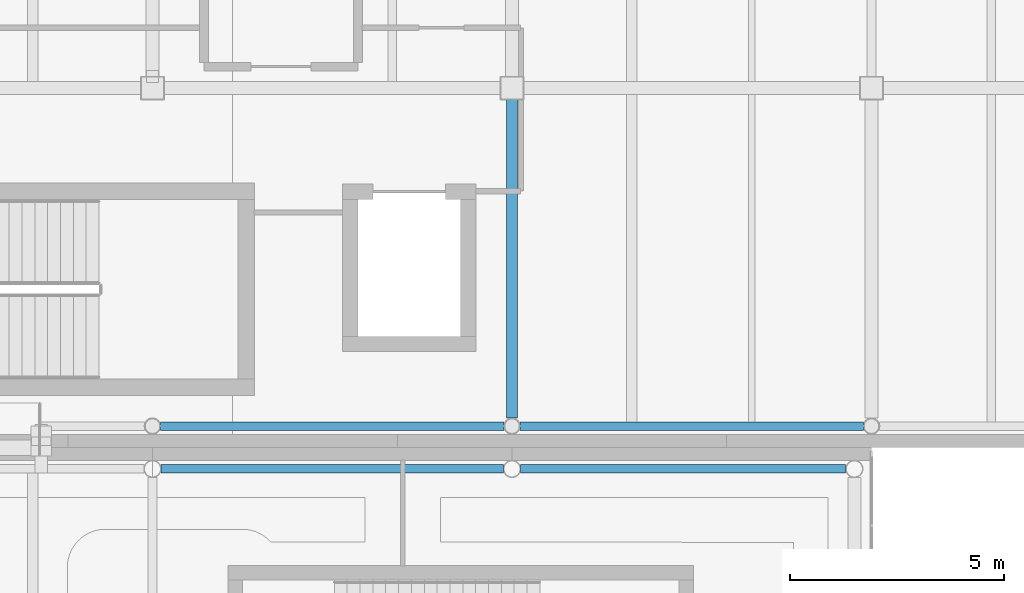
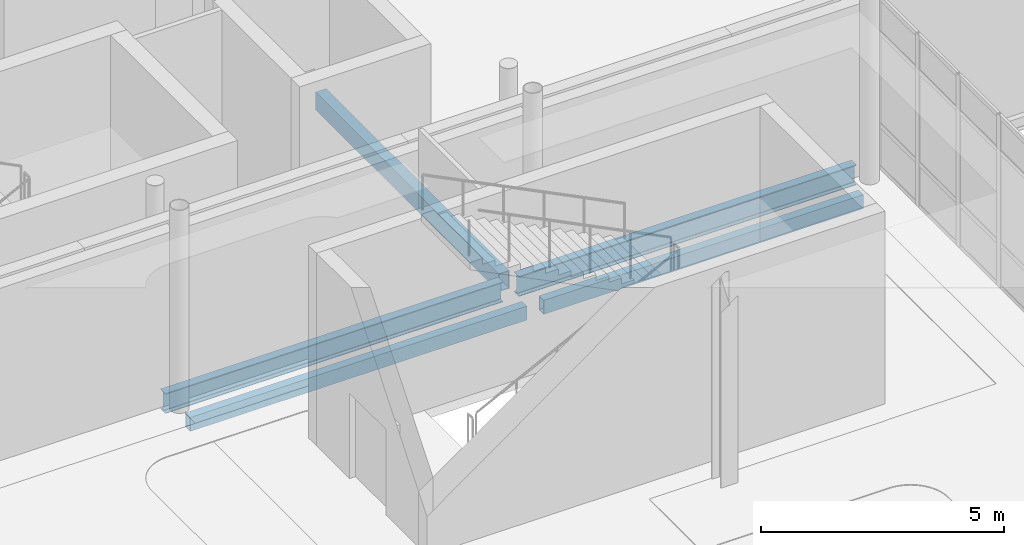
# One storey, part 43 of 103: 5 beams.
"""IFC4 building model written with IfcOpenShell, lengths in metres."""

from ifc_helpers import new_model, si_unit, direction, frame, origin, origin_2d, place, context, subcontext, project, spatial, hollow_rectangle, i_section, extrude, material, material_profile, profile_set, type_object, element, save


model = new_model("IFC4")

# Units and contexts
model_context = context("Model", 3, precision=1e-05, world=origin(), true_north=direction((0.0, 1.0)))
body_context = subcontext(model_context, "Body", "Model", "MODEL_VIEW")
ifc_project = project(units=[si_unit("LENGTHUNIT", "METRE"), si_unit("AREAUNIT", "SQUARE_METRE"), si_unit("VOLUMEUNIT", "CUBIC_METRE"), si_unit("PLANEANGLEUNIT", "RADIAN"), si_unit("MASSUNIT", "GRAM", prefix="KILO"), si_unit("THERMODYNAMICTEMPERATUREUNIT", "KELVIN")], contexts=[model_context])

# Site, building, storey
site_placement = place(None, origin())
site = spatial("IfcSite", under=ifc_project, at=site_placement, CompositionType="ELEMENT")
building_placement = place(site_placement, origin())
building = spatial("IfcBuilding", under=site, at=building_placement, Name="Lustrewick Department Store", CompositionType="ELEMENT")
storey_placement = place(building_placement, frame((0.0, 0.0, 16.5)))
storey = spatial("IfcBuildingStorey", under=building, at=storey_placement, Name="L04", CompositionType="ELEMENT", Elevation=16.5)

# Beams
ifc_material_1 = material(Name="Structural steel Q355C", Category="steel")
ifc_material_profile_1 = material_profile(ifc_material_1, hollow_rectangle(XDim=0.25, YDim=0.449951171875, WallThickness=0.013916015625, at=origin_2d()), Name="RHS 450x250x14")
ifc_profile_set_1 = profile_set([ifc_material_profile_1], Name="Structural steel Q355C")
beam_type_1 = type_object("IfcBeamType", Name="G18", PredefinedType="BEAM", material=ifc_profile_set_1)
beam_1_placement = place(storey_placement, frame((142.800048828125, 51.08837890625, -0.47998046875), z_axis=(0.0, 1.0, 0.0), x_axis=(-1.0, 0.0, 0.0)))
element("IfcBeam", 1, at=beam_1_placement, inside=storey, type_object=beam_type_1, Name="L04 V4 Girder G18", PredefinedType="BEAM", context=body_context, shape_type="SweptSolid", body=[
    extrude(hollow_rectangle(XDim=0.25, YDim=0.449951171875, WallThickness=0.013916015625, at=origin_2d()), origin(), (0.0, 0.0, 1.0), 7.53662109375),
])
ifc_material_2 = material(Name="Structural steel Q355B", Category="steel")
ifc_material_profile_2 = material_profile(ifc_material_2, i_section(OverallWidth=0.200927734375, OverallDepth=0.506103515625, WebThickness=0.010986328125, FlangeThickness=0.01904296875, FilletRadius=0.01611328125, at=origin_2d()), Name="HN 506x201x11x19")
ifc_profile_set_2 = profile_set([ifc_material_profile_2], Name="Structural steel Q355B")
beam_type_2 = type_object("IfcBeamType", Name="SP01", PredefinedType="SPANDREL", material=ifc_profile_set_2)
beam_2_placement = place(storey_placement, frame((134.58837890625, 50.89990234375, -0.508056640625), z_axis=(1.0, 0.0, 0.0), x_axis=(0.0, 1.0, 0.0)))
element("IfcBeam", 2, at=beam_2_placement, inside=storey, type_object=beam_type_2, Name="L04 V4 Girder SP01", PredefinedType="SPANDREL", context=body_context, shape_type="SweptSolid", body=[
    extrude(i_section(OverallWidth=0.200927734375, OverallDepth=0.506103515625, WebThickness=0.010986328125, FlangeThickness=0.01904296875, FilletRadius=0.01611328125, at=origin_2d()), origin(), (0.0, 0.0, 1.0), 8.023193359375),
])
beam_3_placement = place(storey_placement, frame((142.988525390625, 50.89990234375, -0.508056640625), z_axis=(1.0, 0.0, 0.0), x_axis=(0.0, 1.0, 0.0)))
element("IfcBeam", 3, at=beam_3_placement, inside=storey, type_object=beam_type_2, Name="L04 V4 Girder SP01", PredefinedType="SPANDREL", context=body_context, shape_type="SweptSolid", body=[
    extrude(i_section(OverallWidth=0.200927734375, OverallDepth=0.506103515625, WebThickness=0.010986328125, FlangeThickness=0.01904296875, FilletRadius=0.01611328125, at=origin_2d()), origin(), (0.0, 0.0, 1.0), 8.02294921875),
])
ifc_material_profile_3 = material_profile(ifc_material_1, hollow_rectangle(XDim=0.199951171875, YDim=0.35009765625, WallThickness=0.011962890625, at=origin_2d()), Name="RHS 350x200x12")
ifc_profile_set_3 = profile_set([ifc_material_profile_3], Name="Structural steel Q355C")
beam_type_3 = type_object("IfcBeamType", Name="SP03", PredefinedType="SPANDREL", material=ifc_profile_set_3)
beam_4_placement = place(storey_placement, frame((134.60302734375, 49.89990234375, -0.429931640625), z_axis=(1.0, 0.0, 0.0), x_axis=(0.0, 1.0, 0.0)))
element("IfcBeam", 4, at=beam_4_placement, inside=storey, type_object=beam_type_3, Name="L04 V3 Girder SP03", PredefinedType="SPANDREL", context=body_context, shape_type="SweptSolid", body=[
    extrude(hollow_rectangle(XDim=0.199951171875, YDim=0.35009765625, WallThickness=0.011962890625, at=origin_2d()), origin(), (0.0, 0.0, 1.0), 7.993896484375),
])
beam_5_placement = place(storey_placement, frame((143.0029296875, 49.89990234375, -0.429931640625), z_axis=(1.0, 0.0, 0.0), x_axis=(0.0, 1.0, 0.0)))
element("IfcBeam", 5, at=beam_5_placement, inside=storey, type_object=beam_type_3, Name="L04 V3 Girder SP03", PredefinedType="SPANDREL", context=body_context, shape_type="SweptSolid", body=[
    extrude(hollow_rectangle(XDim=0.199951171875, YDim=0.35009765625, WallThickness=0.011962890625, at=origin_2d()), origin(), (0.0, 0.0, 1.0), 7.593994140625),
])

save(model, "model.ifc")
